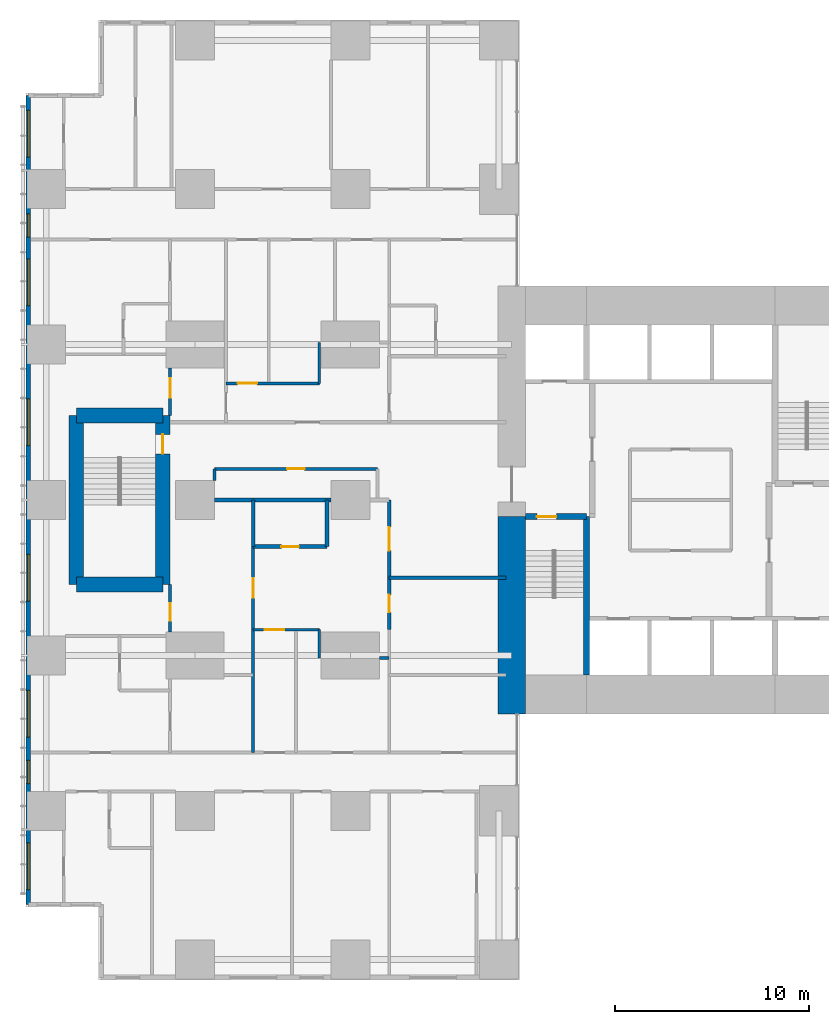
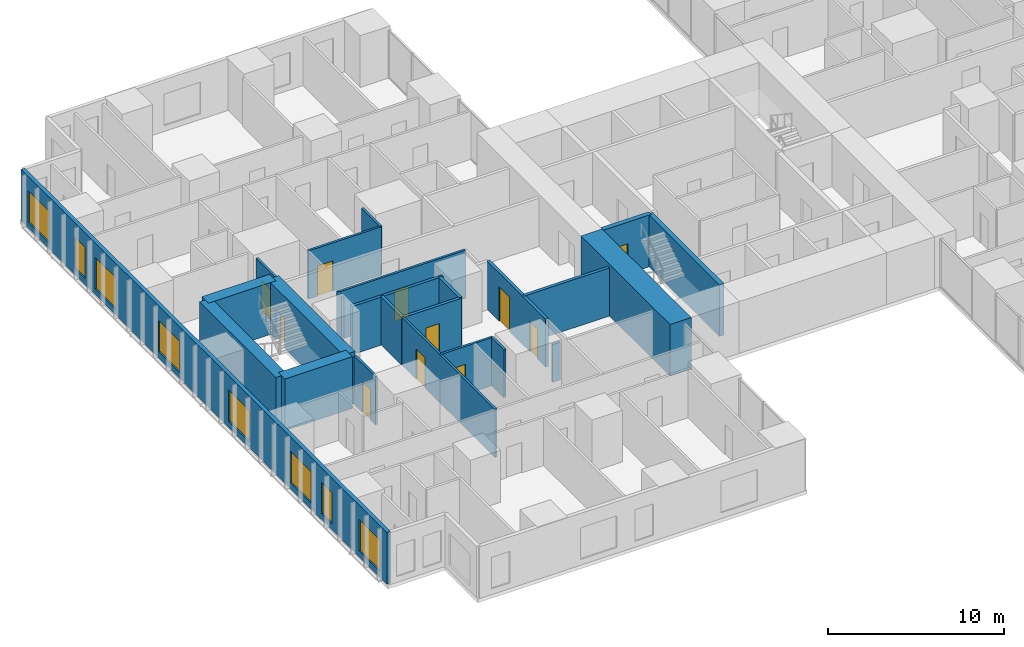
# One storey, part 13 of 20: 24 walls, 11 doors, 8 windows, 19 openings.
"""IFC4 building model written with IfcOpenShell, lengths in metres."""

from ifc_helpers import new_model, si_unit, direction, frame, frame_2d, origin, place, context, subcontext, project, spatial, rectangle, extrude, material, layer, layer_set, type_object, element, fill, save


model = new_model("IFC4")

# Units and contexts
model_context = context("Model", 3, precision=1e-05, world=origin(), true_north=direction((0.0, 1.0)))
body_context = subcontext(model_context, "Body", "Model", "MODEL_VIEW")
ifc_project = project(units=[si_unit("LENGTHUNIT", "METRE"), si_unit("AREAUNIT", "SQUARE_METRE"), si_unit("VOLUMEUNIT", "CUBIC_METRE"), si_unit("PLANEANGLEUNIT", "RADIAN"), si_unit("MASSUNIT", "GRAM", prefix="KILO")], contexts=[model_context])

# Site, building, storey
site_placement = place(None, origin())
site = spatial("IfcSite", under=ifc_project, at=site_placement, CompositionType="ELEMENT")
building_placement = place(site_placement, origin())
building = spatial("IfcBuilding", under=site, at=building_placement, Name="Cleftline Residences", CompositionType="ELEMENT")
storey_placement = place(building_placement, frame((0.0, 0.0, 146.60009765625)))
storey = spatial("IfcBuildingStorey", under=building, at=storey_placement, Name="L38", CompositionType="ELEMENT", Elevation=146.60009765625)

# Walls
ifc_material_1 = material(Name="Concrete B70", Category="concrete")
ifc_layer_1 = layer(ifc_material_1, 1.39990234375)
ifc_layer_set_1 = layer_set([ifc_layer_1], Name="CORE WALL 1400")
wall_type_1 = type_object("IfcWallType", Name="CORE WALL 1400", PredefinedType="SHEAR", material=ifc_layer_set_1)
wall_1_placement = place(storey_placement, frame((24.300048828125, 13.0, 0.0), z_axis=(0.0, 0.0, 1.0), x_axis=(0.0, 1.0, 0.0)))
element("IfcWall", 1, at=wall_1_placement, inside=storey, type_object=wall_type_1, Name="Core wall W0", PredefinedType="SHEAR", context=body_context, shape_type="SweptSolid", body=[
    extrude(rectangle(XDim=10.14990234375, YDim=1.39990234375, at=frame_2d((5.074951171875, 0.0))), origin(), (0.0, 0.0, 1.0), 3.599853515625),
])
ifc_material_2 = material(Name="Concrete B70", Category="concrete")
ifc_layer_2 = layer(ifc_material_2, 0.300048828125)
ifc_layer_set_2 = layer_set([ifc_layer_2], Name="CORE WALL 300")
wall_type_2 = type_object("IfcWallType", Name="CORE WALL 300", PredefinedType="SHEAR", material=ifc_layer_set_2)
wall_2_placement = place(storey_placement, frame((28.14990234375, 15.0, 0.0), z_axis=(0.0, 0.0, 1.0), x_axis=(0.0, 1.0, 0.0)))
element("IfcWall", 2, at=wall_2_placement, inside=storey, type_object=wall_type_2, Name="Core wall SA-E", PredefinedType="SHEAR", context=body_context, shape_type="SweptSolid", body=[
    extrude(rectangle(XDim=8.14990234375, YDim=0.300048828125, at=frame_2d((4.074951171875, 0.0))), origin(), (0.0, 0.0, 1.0), 3.599853515625),
])

# Wall, opening, door
wall_3_placement = place(storey_placement, frame((25.0, 23.14990234375, 0.0), z_axis=(0.0, 0.0, 1.0), x_axis=(1.0, 0.0, 0.0)))
wall_3 = element("IfcWall", 3, at=wall_3_placement, inside=storey, type_object=wall_type_2, Name="Core wall SA-N", PredefinedType="SHEAR", context=body_context, shape_type="SweptSolid", body=[
    extrude(rectangle(XDim=3.14990234375, YDim=0.300048828125, at=frame_2d((1.574951171875, 0.0))), origin(), (0.0, 0.0, 1.0), 3.599853515625),
])
opening_1_placement = place(wall_3_placement, frame((0.60009765625, 0.0, 0.0)))
opening_1 = element("IfcOpeningElement", 4, at=opening_1_placement, cuts=wall_3, Name="Opening D5", PredefinedType="OPENING", context=body_context, shape_type="SweptSolid", body=[
    extrude(rectangle(XDim=1.0, YDim=2.10009765625, at=frame_2d((0.5, 1.050048828125))), frame((0.0, 0.159912109375, 0.0), z_axis=(0.0, -1.0, 0.0), x_axis=(1.0, 0.0, 0.0)), (0.0, 0.0, 1.0), 0.320068359375),
])
ifc_material_3 = material(Name="Steel", Category="steel")
door_type_1 = type_object("IfcDoorType", Name="STAIR DOOR 1000X2100", OperationType="SINGLE_SWING_LEFT", PredefinedType="DOOR", material=ifc_material_3)
door_1_placement = place(opening_1_placement, origin())
door_1 = element("IfcDoor", 5, at=door_1_placement, inside=storey, type_object=door_type_1, Name="Stair A door", OperationType="SINGLE_SWING_RIGHT", OverallHeight=2.10009765625, OverallWidth=1.0, PredefinedType="DOOR", context=body_context, shape_type="SweptSolid", body=[
    extrude(rectangle(XDim=1.0, YDim=2.10009765625, at=frame_2d((0.5, 1.050048828125))), frame((0.0, 0.02490234375, 0.0), z_axis=(0.0, -1.0, 0.0), x_axis=(1.0, 0.0, 0.0)), (0.0, 0.0, 1.0), 0.050048828125),
])
fill(opening_1, door_1)

# Wall, openings, windows
ifc_material_4 = material(Name="Rendered reinforced concrete blockwork", Category="masonry")
ifc_layer_3 = layer(ifc_material_4, 0.25)
ifc_layer_set_3 = layer_set([ifc_layer_3], Name="EXTERNAL WALL 250")
wall_type_3 = type_object("IfcWallType", Name="EXTERNAL WALL 250", PredefinedType="SOLIDWALL", material=ifc_layer_set_3)
wall_4_placement = place(storey_placement, frame((-0.574951171875, 44.824951171875, 0.0), z_axis=(0.0, 0.0, 1.0), x_axis=(0.0, -1.0, 0.0)))
wall_4 = element("IfcWall", 6, at=wall_4_placement, inside=storey, type_object=wall_type_3, Name="External wall", PredefinedType="SOLIDWALL", context=body_context, shape_type="SweptSolid", body=[
    extrude(rectangle(XDim=41.64990234375, YDim=0.25, at=frame_2d((20.824951171875, 0.0))), origin(), (0.0, 0.0, 1.0), 3.599853515625),
])
opening_2_placement = place(wall_4_placement, frame((0.77490234375, 0.0, 0.39990234375)))
opening_2 = element("IfcOpeningElement", 7, at=opening_2_placement, cuts=wall_4, Name="Opening W12", PredefinedType="OPENING", context=body_context, shape_type="SweptSolid", body=[
    extrude(rectangle(XDim=2.39990234375, YDim=2.199951171875, at=frame_2d((1.199951171875, 1.10009765625))), frame((0.0, 0.135009765625, 0.0), z_axis=(0.0, -1.0, 0.0), x_axis=(1.0, 0.0, 0.0)), (0.0, 0.0, 1.0), 0.27001953125),
])
opening_3_placement = place(wall_4_placement, frame((6.10009765625, 0.0, 0.39990234375)))
opening_3 = element("IfcOpeningElement", 8, at=opening_3_placement, cuts=wall_4, Name="Opening W11", PredefinedType="OPENING", context=body_context, shape_type="SweptSolid", body=[
    extrude(rectangle(XDim=1.199951171875, YDim=2.199951171875, at=frame_2d((0.60009765625, 1.10009765625))), frame((0.0, 0.135009765625, 0.0), z_axis=(0.0, -1.0, 0.0), x_axis=(1.0, 0.0, 0.0)), (0.0, 0.0, 1.0), 0.27001953125),
])
opening_4_placement = place(wall_4_placement, frame((8.425048828125, 0.0, 0.39990234375)))
opening_4 = element("IfcOpeningElement", 9, at=opening_4_placement, cuts=wall_4, Name="Opening W12", PredefinedType="OPENING", context=body_context, shape_type="SweptSolid", body=[
    extrude(rectangle(XDim=2.39990234375, YDim=2.199951171875, at=frame_2d((1.199951171875, 1.10009765625))), frame((0.0, 0.135009765625, 0.0), z_axis=(0.0, -1.0, 0.0), x_axis=(1.0, 0.0, 0.0)), (0.0, 0.0, 1.0), 0.27001953125),
])
opening_5_placement = place(wall_4_placement, frame((15.625, 0.0, 0.39990234375)))
opening_5 = element("IfcOpeningElement", 10, at=opening_5_placement, cuts=wall_4, Name="Opening W12", PredefinedType="OPENING", context=body_context, shape_type="SweptSolid", body=[
    extrude(rectangle(XDim=2.39990234375, YDim=2.199951171875, at=frame_2d((1.199951171875, 1.10009765625))), frame((0.0, 0.135009765625, 0.0), z_axis=(0.0, -1.0, 0.0), x_axis=(1.0, 0.0, 0.0)), (0.0, 0.0, 1.0), 0.27001953125),
])
opening_6_placement = place(wall_4_placement, frame((23.625, 0.0, 0.39990234375)))
opening_6 = element("IfcOpeningElement", 11, at=opening_6_placement, cuts=wall_4, Name="Opening W12", PredefinedType="OPENING", context=body_context, shape_type="SweptSolid", body=[
    extrude(rectangle(XDim=2.39990234375, YDim=2.199951171875, at=frame_2d((1.199951171875, 1.10009765625))), frame((0.0, 0.135009765625, 0.0), z_axis=(0.0, -1.0, 0.0), x_axis=(1.0, 0.0, 0.0)), (0.0, 0.0, 1.0), 0.27001953125),
])
opening_7_placement = place(wall_4_placement, frame((30.625, 0.0, 0.39990234375)))
opening_7 = element("IfcOpeningElement", 12, at=opening_7_placement, cuts=wall_4, Name="Opening W12", PredefinedType="OPENING", context=body_context, shape_type="SweptSolid", body=[
    extrude(rectangle(XDim=2.39990234375, YDim=2.199951171875, at=frame_2d((1.199951171875, 1.10009765625))), frame((0.0, 0.135009765625, 0.0), z_axis=(0.0, -1.0, 0.0), x_axis=(1.0, 0.0, 0.0)), (0.0, 0.0, 1.0), 0.27001953125),
])
opening_8_placement = place(wall_4_placement, frame((34.22509765625, 0.0, 0.39990234375)))
opening_8 = element("IfcOpeningElement", 13, at=opening_8_placement, cuts=wall_4, Name="Opening W11", PredefinedType="OPENING", context=body_context, shape_type="SweptSolid", body=[
    extrude(rectangle(XDim=1.199951171875, YDim=2.199951171875, at=frame_2d((0.60009765625, 1.10009765625))), frame((0.0, 0.135009765625, 0.0), z_axis=(0.0, -1.0, 0.0), x_axis=(1.0, 0.0, 0.0)), (0.0, 0.0, 1.0), 0.27001953125),
])
opening_9_placement = place(wall_4_placement, frame((38.47509765625, 0.0, 0.39990234375)))
opening_9 = element("IfcOpeningElement", 14, at=opening_9_placement, cuts=wall_4, Name="Opening W12", PredefinedType="OPENING", context=body_context, shape_type="SweptSolid", body=[
    extrude(rectangle(XDim=2.39990234375, YDim=2.199951171875, at=frame_2d((1.199951171875, 1.10009765625))), frame((0.0, 0.135009765625, 0.0), z_axis=(0.0, -1.0, 0.0), x_axis=(1.0, 0.0, 0.0)), (0.0, 0.0, 1.0), 0.27001953125),
])
ifc_material_5 = material(Name="Aluminium frame, clear double glazing", Category="aluminium")
window_type_1 = type_object("IfcWindowType", Name="WINDOW 1200X2200", PartitioningType="DOUBLE_PANEL_VERTICAL", PredefinedType="WINDOW", material=ifc_material_5)
window_1_placement = place(opening_3_placement, origin())
window_1 = element("IfcWindow", 15, at=window_1_placement, inside=storey, type_object=window_type_1, Name="Window", OverallHeight=2.199951171875, OverallWidth=1.199951171875, PartitioningType="SINGLE_PANEL", PredefinedType="WINDOW", context=body_context, shape_type="SweptSolid", body=[
    extrude(rectangle(XDim=1.199951171875, YDim=2.199951171875, at=frame_2d((0.60009765625, 1.10009765625))), frame((0.0, 0.030029296875, 0.0), z_axis=(0.0, -1.0, 0.0), x_axis=(1.0, 0.0, 0.0)), (0.0, 0.0, 1.0), 0.06005859375),
])
fill(opening_3, window_1)
window_2_placement = place(opening_8_placement, origin())
window_2 = element("IfcWindow", 16, at=window_2_placement, inside=storey, type_object=window_type_1, Name="Window", OverallHeight=2.199951171875, OverallWidth=1.199951171875, PartitioningType="SINGLE_PANEL", PredefinedType="WINDOW", context=body_context, shape_type="SweptSolid", body=[
    extrude(rectangle(XDim=1.199951171875, YDim=2.199951171875, at=frame_2d((0.60009765625, 1.10009765625))), frame((0.0, 0.030029296875, 0.0), z_axis=(0.0, -1.0, 0.0), x_axis=(1.0, 0.0, 0.0)), (0.0, 0.0, 1.0), 0.06005859375),
])
fill(opening_8, window_2)
ifc_material_6 = material(Name="Aluminium frame, clear double glazing", Category="aluminium")
window_type_2 = type_object("IfcWindowType", Name="WINDOW 2400X2200", PartitioningType="DOUBLE_PANEL_VERTICAL", PredefinedType="WINDOW", material=ifc_material_6)
window_3_placement = place(opening_2_placement, origin())
window_3 = element("IfcWindow", 17, at=window_3_placement, inside=storey, type_object=window_type_2, Name="Window", OverallHeight=2.199951171875, OverallWidth=2.39990234375, PartitioningType="SINGLE_PANEL", PredefinedType="WINDOW", context=body_context, shape_type="SweptSolid", body=[
    extrude(rectangle(XDim=2.39990234375, YDim=2.199951171875, at=frame_2d((1.199951171875, 1.10009765625))), frame((0.0, 0.030029296875, 0.0), z_axis=(0.0, -1.0, 0.0), x_axis=(1.0, 0.0, 0.0)), (0.0, 0.0, 1.0), 0.06005859375),
])
fill(opening_2, window_3)
window_4_placement = place(opening_4_placement, origin())
window_4 = element("IfcWindow", 18, at=window_4_placement, inside=storey, type_object=window_type_2, Name="Window", OverallHeight=2.199951171875, OverallWidth=2.39990234375, PartitioningType="SINGLE_PANEL", PredefinedType="WINDOW", context=body_context, shape_type="SweptSolid", body=[
    extrude(rectangle(XDim=2.39990234375, YDim=2.199951171875, at=frame_2d((1.199951171875, 1.10009765625))), frame((0.0, 0.030029296875, 0.0), z_axis=(0.0, -1.0, 0.0), x_axis=(1.0, 0.0, 0.0)), (0.0, 0.0, 1.0), 0.06005859375),
])
fill(opening_4, window_4)
window_5_placement = place(opening_5_placement, origin())
window_5 = element("IfcWindow", 19, at=window_5_placement, inside=storey, type_object=window_type_2, Name="Window", OverallHeight=2.199951171875, OverallWidth=2.39990234375, PartitioningType="SINGLE_PANEL", PredefinedType="WINDOW", context=body_context, shape_type="SweptSolid", body=[
    extrude(rectangle(XDim=2.39990234375, YDim=2.199951171875, at=frame_2d((1.199951171875, 1.10009765625))), frame((0.0, 0.030029296875, 0.0), z_axis=(0.0, -1.0, 0.0), x_axis=(1.0, 0.0, 0.0)), (0.0, 0.0, 1.0), 0.06005859375),
])
fill(opening_5, window_5)
window_6_placement = place(opening_6_placement, origin())
window_6 = element("IfcWindow", 20, at=window_6_placement, inside=storey, type_object=window_type_2, Name="Window", OverallHeight=2.199951171875, OverallWidth=2.39990234375, PartitioningType="SINGLE_PANEL", PredefinedType="WINDOW", context=body_context, shape_type="SweptSolid", body=[
    extrude(rectangle(XDim=2.39990234375, YDim=2.199951171875, at=frame_2d((1.199951171875, 1.10009765625))), frame((0.0, 0.030029296875, 0.0), z_axis=(0.0, -1.0, 0.0), x_axis=(1.0, 0.0, 0.0)), (0.0, 0.0, 1.0), 0.06005859375),
])
fill(opening_6, window_6)
window_7_placement = place(opening_7_placement, origin())
window_7 = element("IfcWindow", 21, at=window_7_placement, inside=storey, type_object=window_type_2, Name="Window", OverallHeight=2.199951171875, OverallWidth=2.39990234375, PartitioningType="SINGLE_PANEL", PredefinedType="WINDOW", context=body_context, shape_type="SweptSolid", body=[
    extrude(rectangle(XDim=2.39990234375, YDim=2.199951171875, at=frame_2d((1.199951171875, 1.10009765625))), frame((0.0, 0.030029296875, 0.0), z_axis=(0.0, -1.0, 0.0), x_axis=(1.0, 0.0, 0.0)), (0.0, 0.0, 1.0), 0.06005859375),
])
fill(opening_7, window_7)
window_8_placement = place(opening_9_placement, origin())
window_8 = element("IfcWindow", 22, at=window_8_placement, inside=storey, type_object=window_type_2, Name="Window", OverallHeight=2.199951171875, OverallWidth=2.39990234375, PartitioningType="SINGLE_PANEL", PredefinedType="WINDOW", context=body_context, shape_type="SweptSolid", body=[
    extrude(rectangle(XDim=2.39990234375, YDim=2.199951171875, at=frame_2d((1.199951171875, 1.10009765625))), frame((0.0, 0.030029296875, 0.0), z_axis=(0.0, -1.0, 0.0), x_axis=(1.0, 0.0, 0.0)), (0.0, 0.0, 1.0), 0.06005859375),
])
fill(opening_9, window_8)

# Wall
ifc_material_7 = material(Name="Concrete blockwork, fire rated", Category="masonry")
ifc_layer_4 = layer(ifc_material_7, 0.199951171875)
ifc_layer_set_4 = layer_set([ifc_layer_4], Name="FIRE WALL 200")
wall_type_4 = type_object("IfcWallType", Name="FIRE WALL 200", PredefinedType="PARTITIONING", material=ifc_layer_set_4)
wall_5_placement = place(storey_placement, frame((18.0, 20.0, 0.0), z_axis=(0.0, 0.0, 1.0), x_axis=(1.0, 0.0, 0.0)))
element("IfcWall", 23, at=wall_5_placement, inside=storey, type_object=wall_type_4, Name="Fire separating wall", PredefinedType="PARTITIONING", context=body_context, shape_type="SweptSolid", body=[
    extrude(rectangle(XDim=6.0, YDim=0.199951171875, at=frame_2d((3.0, 0.0))), origin(), (0.0, 0.0, 1.0), 3.349853515625),
])

# Wall, opening, door
wall_6_placement = place(storey_placement, frame((11.0, 21.60009765625, 0.0), z_axis=(0.0, 0.0, 1.0), x_axis=(1.0, 0.0, 0.0)))
wall_6 = element("IfcWall", 24, at=wall_6_placement, inside=storey, type_object=wall_type_4, Name="Fire separating wall", PredefinedType="PARTITIONING", context=body_context, shape_type="SweptSolid", body=[
    extrude(rectangle(XDim=3.800048828125, YDim=0.199951171875, at=frame_2d((1.89990234375, 0.0))), origin(), (0.0, 0.0, 1.0), 3.349853515625),
])
opening_10_placement = place(wall_6_placement, frame((1.449951171875, 0.0, 0.0)))
opening_10 = element("IfcOpeningElement", 25, at=opening_10_placement, cuts=wall_6, Name="Opening D1F30", PredefinedType="OPENING", context=body_context, shape_type="SweptSolid", body=[
    extrude(rectangle(XDim=0.89990234375, YDim=2.10009765625, at=frame_2d((0.449951171875, 1.050048828125))), frame((0.0, 0.10986328125, 0.0), z_axis=(0.0, -1.0, 0.0), x_axis=(1.0, 0.0, 0.0)), (0.0, 0.0, 1.0), 0.219970703125),
])
ifc_material_8 = material(Name="Timber veneer on solid core", Category="wood")
door_type_2 = type_object("IfcDoorType", Name="DOOR 900X2100 EI 30", OperationType="SINGLE_SWING_LEFT", PredefinedType="DOOR", material=ifc_material_8)
door_2_placement = place(opening_10_placement, origin())
door_2 = element("IfcDoor", 26, at=door_2_placement, inside=storey, type_object=door_type_2, Name="Door to cloakroom wc", OperationType="SINGLE_SWING_LEFT", OverallHeight=2.10009765625, OverallWidth=0.89990234375, PredefinedType="DOOR", context=body_context, shape_type="SweptSolid", body=[
    extrude(rectangle(XDim=0.89990234375, YDim=2.10009765625, at=frame_2d((0.449951171875, 1.050048828125))), frame((0.0, 0.02490234375, 0.0), z_axis=(0.0, -1.0, 0.0), x_axis=(1.0, 0.0, 0.0)), (0.0, 0.0, 1.0), 0.050048828125),
])
fill(opening_10, door_2)

# Walls
wall_7_placement = place(storey_placement, frame((9.0, 24.0, 0.0), z_axis=(0.0, 0.0, 1.0), x_axis=(1.0, 0.0, 0.0)))
element("IfcWall", 27, at=wall_7_placement, inside=storey, type_object=wall_type_4, Name="Fire separating wall", PredefinedType="PARTITIONING", context=body_context, shape_type="SweptSolid", body=[
    extrude(rectangle(XDim=6.0, YDim=0.199951171875, at=frame_2d((3.0, 0.0))), origin(), (0.0, 0.0, 1.0), 3.349853515625),
])
for number, where, z_axis, x_axis, name in (
    (28, (11.0, 21.60009765625, 0.0), (0.0, 0.0, 1.0), (0.0, 1.0, 0.0), "Fire separating wall"),
    (29, (14.800048828125, 21.60009765625, 0.0), (0.0, 0.0, 1.0), (0.0, 1.0, 0.0), "Fire separating wall"),
):
    element("IfcWall", number, at=place(storey_placement, frame(where, z_axis=z_axis, x_axis=x_axis)), inside=storey, type_object=wall_type_4, Name=name, PredefinedType="PARTITIONING", context=body_context, shape_type="SweptSolid", body=[
        extrude(rectangle(XDim=2.39990234375, YDim=0.199951171875, at=frame_2d((1.199951171875, 0.0))), origin(), (0.0, 0.0, 1.0), 3.349853515625),
    ])

# Wall, openings, doors
wall_8_placement = place(storey_placement, frame((18.0, 17.324951171875, 0.0), z_axis=(0.0, 0.0, 1.0), x_axis=(0.0, 1.0, 0.0)))
wall_8 = element("IfcWall", 30, at=wall_8_placement, inside=storey, type_object=wall_type_4, Name="Fire separating wall", PredefinedType="PARTITIONING", context=body_context, shape_type="SweptSolid", body=[
    extrude(rectangle(XDim=6.675048828125, YDim=0.199951171875, at=frame_2d((3.33740234375, 0.0))), origin(), (0.0, 0.0, 1.0), 3.349853515625),
])
opening_11_placement = place(wall_8_placement, frame((4.074951171875, 0.0, 0.0)))
opening_11 = element("IfcOpeningElement", 31, at=opening_11_placement, cuts=wall_8, Name="Opening D4", PredefinedType="OPENING", context=body_context, shape_type="SweptSolid", body=[
    extrude(rectangle(XDim=1.199951171875, YDim=2.39990234375, at=frame_2d((0.60009765625, 1.199951171875))), frame((0.0, 0.10986328125, 0.0), z_axis=(0.0, -1.0, 0.0), x_axis=(1.0, 0.0, 0.0)), (0.0, 0.0, 1.0), 0.219970703125),
])
opening_12_placement = place(wall_8_placement, frame((0.887451171875, 0.0, 0.0)))
opening_12 = element("IfcOpeningElement", 32, at=opening_12_placement, cuts=wall_8, Name="Opening D1F30", PredefinedType="OPENING", context=body_context, shape_type="SweptSolid", body=[
    extrude(rectangle(XDim=0.89990234375, YDim=2.10009765625, at=frame_2d((0.449951171875, 1.050048828125))), frame((0.0, 0.10986328125, 0.0), z_axis=(0.0, -1.0, 0.0), x_axis=(1.0, 0.0, 0.0)), (0.0, 0.0, 1.0), 0.219970703125),
])
ifc_material_9 = material(Name="Timber veneer on solid core", Category="wood")
door_type_3 = type_object("IfcDoorType", Name="APARTMENT ENTRANCE DOOR 1200X2400", OperationType="SINGLE_SWING_RIGHT", PredefinedType="DOOR", material=ifc_material_9)
door_3_placement = place(opening_11_placement, origin())
door_3 = element("IfcDoor", 33, at=door_3_placement, inside=storey, type_object=door_type_3, Name="Door to residence entrance foyer", OperationType="SINGLE_SWING_LEFT", OverallHeight=2.39990234375, OverallWidth=1.199951171875, PredefinedType="DOOR", context=body_context, shape_type="SweptSolid", body=[
    extrude(rectangle(XDim=1.199951171875, YDim=2.39990234375, at=frame_2d((0.60009765625, 1.199951171875))), frame((0.0, 0.02490234375, 0.0), z_axis=(0.0, -1.0, 0.0), x_axis=(1.0, 0.0, 0.0)), (0.0, 0.0, 1.0), 0.050048828125),
])
fill(opening_11, door_3)
door_4_placement = place(opening_12_placement, origin())
door_4 = element("IfcDoor", 34, at=door_4_placement, inside=storey, type_object=door_type_2, Name="Door to utility room", OperationType="SINGLE_SWING_RIGHT", OverallHeight=2.10009765625, OverallWidth=0.89990234375, PredefinedType="DOOR", context=body_context, shape_type="SweptSolid", body=[
    extrude(rectangle(XDim=0.89990234375, YDim=2.10009765625, at=frame_2d((0.449951171875, 1.050048828125))), frame((0.0, 0.02490234375, 0.0), z_axis=(0.0, -1.0, 0.0), x_axis=(1.0, 0.0, 0.0)), (0.0, 0.0, 1.0), 0.050048828125),
])
fill(opening_12, door_4)

# Wall
ifc_material_10 = material(Name="Gypsum board on steel studs", Category="steel")
ifc_layer_5 = layer(ifc_material_10, 0.14990234375)
ifc_layer_set_5 = layer_set([ifc_layer_5], Name="PARTITION 150")
wall_type_5 = type_object("IfcWallType", Name="PARTITION 150", PredefinedType="PARTITIONING", material=ifc_layer_set_5)
wall_9_placement = place(storey_placement, frame((17.5, 15.875, 0.0), z_axis=(0.0, 0.0, 1.0), x_axis=(1.0, 0.0, 0.0)))
element("IfcWall", 35, at=wall_9_placement, inside=storey, type_object=wall_type_5, Name="Partition", PredefinedType="PARTITIONING", context=body_context, shape_type="SweptSolid", body=[
    extrude(rectangle(XDim=0.5, YDim=0.14990234375, at=frame_2d((0.25, 0.0))), origin(), (0.0, 0.0, 1.0), 2.6337890625),
])

# Wall, opening, door
wall_10_placement = place(storey_placement, frame((11.0, 17.324951171875, 0.0), z_axis=(0.0, 0.0, 1.0), x_axis=(1.0, 0.0, 0.0)))
wall_10 = element("IfcWall", 36, at=wall_10_placement, inside=storey, type_object=wall_type_5, Name="Partition", PredefinedType="PARTITIONING", context=body_context, shape_type="SweptSolid", body=[
    extrude(rectangle(XDim=3.39990234375, YDim=0.14990234375, at=frame_2d((1.699951171875, 0.0))), origin(), (0.0, 0.0, 1.0), 3.349853515625),
])
opening_13_placement = place(wall_10_placement, frame((0.60009765625, 0.0, 0.0)))
opening_13 = element("IfcOpeningElement", 37, at=opening_13_placement, cuts=wall_10, Name="Opening D2", PredefinedType="OPENING", context=body_context, shape_type="SweptSolid", body=[
    extrude(rectangle(XDim=1.0, YDim=2.10009765625, at=frame_2d((0.5, 1.050048828125))), frame((0.0, 0.0849609375, 0.0), z_axis=(0.0, -1.0, 0.0), x_axis=(1.0, 0.0, 0.0)), (0.0, 0.0, 1.0), 0.169921875),
])
ifc_material_11 = material(Name="Timber veneer on solid core", Category="wood")
door_type_4 = type_object("IfcDoorType", Name="DOOR 1000X2100", OperationType="SINGLE_SWING_LEFT", PredefinedType="DOOR", material=ifc_material_11)
door_5_placement = place(opening_13_placement, origin())
door_5 = element("IfcDoor", 38, at=door_5_placement, inside=storey, type_object=door_type_4, Name="Door to residence passage", OperationType="SINGLE_SWING_RIGHT", OverallHeight=2.10009765625, OverallWidth=1.0, PredefinedType="DOOR", context=body_context, shape_type="SweptSolid", body=[
    extrude(rectangle(XDim=1.0, YDim=2.10009765625, at=frame_2d((0.5, 1.050048828125))), frame((0.0, 0.02490234375, 0.0), z_axis=(0.0, -1.0, 0.0), x_axis=(1.0, 0.0, 0.0)), (0.0, 0.0, 1.0), 0.050048828125),
])
fill(opening_13, door_5)

wall_11_placement = place(storey_placement, frame((9.0, 25.60009765625, 0.0), z_axis=(0.0, 0.0, 1.0), x_axis=(1.0, 0.0, 0.0)))
wall_11 = element("IfcWall", 39, at=wall_11_placement, inside=storey, type_object=wall_type_5, Name="Partition", PredefinedType="PARTITIONING", context=body_context, shape_type="SweptSolid", body=[
    extrude(rectangle(XDim=8.39990234375, YDim=0.14990234375, at=frame_2d((4.199951171875, 0.0))), origin(), (0.0, 0.0, 1.0), 3.349853515625),
])
opening_14_placement = place(wall_11_placement, frame((3.75, 0.0, 0.0)))
opening_14 = element("IfcOpeningElement", 40, at=opening_14_placement, cuts=wall_11, Name="Opening D1", PredefinedType="OPENING", context=body_context, shape_type="SweptSolid", body=[
    extrude(rectangle(XDim=0.89990234375, YDim=2.10009765625, at=frame_2d((0.449951171875, 1.050048828125))), frame((0.0, 0.0849609375, 0.0), z_axis=(0.0, -1.0, 0.0), x_axis=(1.0, 0.0, 0.0)), (0.0, 0.0, 1.0), 0.169921875),
])
ifc_material_12 = material(Name="Timber veneer on solid core", Category="wood")
door_type_5 = type_object("IfcDoorType", Name="DOOR 900X2100", OperationType="SINGLE_SWING_LEFT", PredefinedType="DOOR", material=ifc_material_12)
door_6_placement = place(opening_14_placement, origin())
door_6 = element("IfcDoor", 41, at=door_6_placement, inside=storey, type_object=door_type_5, Name="Door to residents' locker room", OperationType="SINGLE_SWING_LEFT", OverallHeight=2.10009765625, OverallWidth=0.89990234375, PredefinedType="DOOR", context=body_context, shape_type="SweptSolid", body=[
    extrude(rectangle(XDim=0.89990234375, YDim=2.10009765625, at=frame_2d((0.449951171875, 1.050048828125))), frame((0.0, 0.02490234375, 0.0), z_axis=(0.0, -1.0, 0.0), x_axis=(1.0, 0.0, 0.0)), (0.0, 0.0, 1.0), 0.050048828125),
])
fill(opening_14, door_6)

wall_12_placement = place(storey_placement, frame((9.60009765625, 30.0, 0.0), z_axis=(0.0, 0.0, 1.0), x_axis=(1.0, 0.0, 0.0)))
wall_12 = element("IfcWall", 42, at=wall_12_placement, inside=storey, type_object=wall_type_5, Name="Partition", PredefinedType="PARTITIONING", context=body_context, shape_type="SweptSolid", body=[
    extrude(rectangle(XDim=4.7998046875, YDim=0.14990234375, at=frame_2d((2.39990234375, 0.0))), origin(), (0.0, 0.0, 1.0), 3.349853515625),
])
opening_15_placement = place(wall_12_placement, frame((0.60009765625, 0.0, 0.0)))
opening_15 = element("IfcOpeningElement", 43, at=opening_15_placement, cuts=wall_12, Name="Opening D2", PredefinedType="OPENING", context=body_context, shape_type="SweptSolid", body=[
    extrude(rectangle(XDim=1.0, YDim=2.10009765625, at=frame_2d((0.5, 1.050048828125))), frame((0.0, 0.0849609375, 0.0), z_axis=(0.0, -1.0, 0.0), x_axis=(1.0, 0.0, 0.0)), (0.0, 0.0, 1.0), 0.169921875),
])
door_7_placement = place(opening_15_placement, origin())
door_7 = element("IfcDoor", 44, at=door_7_placement, inside=storey, type_object=door_type_4, Name="Door to residence passage", OperationType="SINGLE_SWING_RIGHT", OverallHeight=2.10009765625, OverallWidth=1.0, PredefinedType="DOOR", context=body_context, shape_type="SweptSolid", body=[
    extrude(rectangle(XDim=1.0, YDim=2.10009765625, at=frame_2d((0.5, 1.050048828125))), frame((0.0, 0.02490234375, 0.0), z_axis=(0.0, -1.0, 0.0), x_axis=(1.0, 0.0, 0.0)), (0.0, 0.0, 1.0), 0.050048828125),
])
fill(opening_15, door_7)

wall_13_placement = place(storey_placement, frame((6.72509765625, 17.199951171875, 0.0), z_axis=(0.0, 0.0, 1.0), x_axis=(0.0, 1.0, 0.0)))
wall_13 = element("IfcWall", 45, at=wall_13_placement, inside=storey, type_object=wall_type_5, Name="Partition", PredefinedType="PARTITIONING", context=body_context, shape_type="SweptSolid", body=[
    extrude(rectangle(XDim=2.449951171875, YDim=0.14990234375, at=frame_2d((1.22509765625, 0.0))), origin(), (0.0, 0.0, 1.0), 3.349853515625),
])
opening_16_placement = place(wall_13_placement, frame((0.58740234375, 0.0, 0.0)))
opening_16 = element("IfcOpeningElement", 46, at=opening_16_placement, cuts=wall_13, Name="Opening D1", PredefinedType="OPENING", context=body_context, shape_type="SweptSolid", body=[
    extrude(rectangle(XDim=0.89990234375, YDim=2.10009765625, at=frame_2d((0.449951171875, 1.050048828125))), frame((0.0, 0.0849609375, 0.0), z_axis=(0.0, -1.0, 0.0), x_axis=(1.0, 0.0, 0.0)), (0.0, 0.0, 1.0), 0.169921875),
])
door_8_placement = place(opening_16_placement, origin())
door_8 = element("IfcDoor", 47, at=door_8_placement, inside=storey, type_object=door_type_5, Name="Door to service loggia", OperationType="SINGLE_SWING_RIGHT", OverallHeight=2.10009765625, OverallWidth=0.89990234375, PredefinedType="DOOR", context=body_context, shape_type="SweptSolid", body=[
    extrude(rectangle(XDim=0.89990234375, YDim=2.10009765625, at=frame_2d((0.449951171875, 1.050048828125))), frame((0.0, 0.02490234375, 0.0), z_axis=(0.0, -1.0, 0.0), x_axis=(1.0, 0.0, 0.0)), (0.0, 0.0, 1.0), 0.050048828125),
])
fill(opening_16, door_8)

wall_14_placement = place(storey_placement, frame((6.72509765625, 28.35009765625, 0.0), z_axis=(0.0, 0.0, 1.0), x_axis=(0.0, 1.0, 0.0)))
wall_14 = element("IfcWall", 48, at=wall_14_placement, inside=storey, type_object=wall_type_5, Name="Partition", PredefinedType="PARTITIONING", context=body_context, shape_type="SweptSolid", body=[
    extrude(rectangle(XDim=2.449951171875, YDim=0.14990234375, at=frame_2d((1.22509765625, 0.0))), origin(), (0.0, 0.0, 1.0), 3.349853515625),
])
opening_17_placement = place(wall_14_placement, frame((0.91259765625, 0.0, 0.0)))
opening_17 = element("IfcOpeningElement", 49, at=opening_17_placement, cuts=wall_14, Name="Opening D2", PredefinedType="OPENING", context=body_context, shape_type="SweptSolid", body=[
    extrude(rectangle(XDim=1.0, YDim=2.10009765625, at=frame_2d((0.5, 1.050048828125))), frame((0.0, 0.0849609375, 0.0), z_axis=(0.0, -1.0, 0.0), x_axis=(1.0, 0.0, 0.0)), (0.0, 0.0, 1.0), 0.169921875),
])
door_9_placement = place(opening_17_placement, origin())
door_9 = element("IfcDoor", 50, at=door_9_placement, inside=storey, type_object=door_type_4, Name="Door to altar room", OperationType="SINGLE_SWING_LEFT", OverallHeight=2.10009765625, OverallWidth=1.0, PredefinedType="DOOR", context=body_context, shape_type="SweptSolid", body=[
    extrude(rectangle(XDim=1.0, YDim=2.10009765625, at=frame_2d((0.5, 1.050048828125))), frame((0.0, 0.02490234375, 0.0), z_axis=(0.0, -1.0, 0.0), x_axis=(1.0, 0.0, 0.0)), (0.0, 0.0, 1.0), 0.050048828125),
])
fill(opening_17, door_9)

# Wall
wall_15_placement = place(storey_placement, frame((9.0, 25.0, 0.0), z_axis=(0.0, 0.0, 1.0), x_axis=(0.0, 1.0, 0.0)))
element("IfcWall", 51, at=wall_15_placement, inside=storey, type_object=wall_type_5, Name="Partition", PredefinedType="PARTITIONING", context=body_context, shape_type="SweptSolid", body=[
    extrude(rectangle(XDim=0.60009765625, YDim=0.14990234375, at=frame_2d((0.300048828125, 0.0))), origin(), (0.0, 0.0, 1.0), 3.349853515625),
])

# Wall, opening, door
wall_16_placement = place(storey_placement, frame((11.0, 11.0, 0.0), z_axis=(0.0, 0.0, 1.0), x_axis=(0.0, 1.0, 0.0)))
wall_16 = element("IfcWall", 52, at=wall_16_placement, inside=storey, type_object=wall_type_5, Name="Partition", PredefinedType="PARTITIONING", context=body_context, shape_type="SweptSolid", body=[
    extrude(rectangle(XDim=10.60009765625, YDim=0.14990234375, at=frame_2d((5.300048828125, 0.0))), origin(), (0.0, 0.0, 1.0), 3.349853515625),
])
opening_18_placement = place(wall_16_placement, frame((7.96240234375, 0.0, 0.0)))
opening_18 = element("IfcOpeningElement", 53, at=opening_18_placement, cuts=wall_16, Name="Opening D2F30", PredefinedType="OPENING", context=body_context, shape_type="SweptSolid", body=[
    extrude(rectangle(XDim=1.0, YDim=2.10009765625, at=frame_2d((0.5, 1.050048828125))), frame((0.0, 0.0849609375, 0.0), z_axis=(0.0, -1.0, 0.0), x_axis=(1.0, 0.0, 0.0)), (0.0, 0.0, 1.0), 0.169921875),
])
ifc_material_13 = material(Name="Timber veneer on solid core", Category="wood")
door_type_6 = type_object("IfcDoorType", Name="DOOR 1000X2100 EI 30", OperationType="SINGLE_SWING_LEFT", PredefinedType="DOOR", material=ifc_material_13)
door_10_placement = place(opening_18_placement, origin())
door_10 = element("IfcDoor", 54, at=door_10_placement, inside=storey, type_object=door_type_6, Name="Door to residence lobby", OperationType="SINGLE_SWING_LEFT", OverallHeight=2.10009765625, OverallWidth=1.0, PredefinedType="DOOR", context=body_context, shape_type="SweptSolid", body=[
    extrude(rectangle(XDim=1.0, YDim=2.10009765625, at=frame_2d((0.5, 1.050048828125))), frame((0.0, 0.02490234375, 0.0), z_axis=(0.0, -1.0, 0.0), x_axis=(1.0, 0.0, 0.0)), (0.0, 0.0, 1.0), 0.050048828125),
])
fill(opening_18, door_10)

# Walls
wall_17_placement = place(storey_placement, frame((14.39990234375, 15.875, 0.0), z_axis=(0.0, 0.0, 1.0), x_axis=(0.0, 1.0, 0.0)))
element("IfcWall", 55, at=wall_17_placement, inside=storey, type_object=wall_type_5, Name="Partition", PredefinedType="PARTITIONING", context=body_context, shape_type="SweptSolid", body=[
    extrude(rectangle(XDim=1.449951171875, YDim=0.14990234375, at=frame_2d((0.72509765625, 0.0))), origin(), (0.0, 0.0, 1.0), 3.349853515625),
])
wall_18_placement = place(storey_placement, frame((14.39990234375, 30.0, 0.0), z_axis=(0.0, 0.0, 1.0), x_axis=(0.0, 1.0, 0.0)))
element("IfcWall", 56, at=wall_18_placement, inside=storey, type_object=wall_type_5, Name="Partition", PredefinedType="PARTITIONING", context=body_context, shape_type="SweptSolid", body=[
    extrude(rectangle(XDim=2.10009765625, YDim=0.14990234375, at=frame_2d((1.050048828125, 0.0))), origin(), (0.0, 0.0, 1.0), 3.349853515625),
])
ifc_material_14 = material(Name="Concrete B70", Category="concrete")
ifc_layer_6 = layer(ifc_material_14, 0.75)
ifc_layer_set_6 = layer_set([ifc_layer_6], Name="SHEAR WALL 750")
wall_type_6 = type_object("IfcWallType", Name="SHEAR WALL 750", PredefinedType="SHEAR", material=ifc_layer_set_6)
wall_19_placement = place(storey_placement, frame((1.89990234375, 19.64990234375, 0.0), z_axis=(0.0, 0.0, 1.0), x_axis=(1.0, 0.0, 0.0)))
element("IfcWall", 57, at=wall_19_placement, inside=storey, type_object=wall_type_6, Name="Wing shear wall", PredefinedType="SHEAR", context=body_context, shape_type="SweptSolid", body=[
    extrude(rectangle(XDim=4.4501953125, YDim=0.75, at=frame_2d((2.22509765625, 0.0))), origin(), (0.0, 0.0, 1.0), 3.599853515625),
])

# Wall, opening, door
wall_20_placement = place(storey_placement, frame((6.35009765625, 19.64990234375, 0.0), z_axis=(0.0, 0.0, 1.0), x_axis=(0.0, 1.0, 0.0)))
wall_20 = element("IfcWall", 58, at=wall_20_placement, inside=storey, type_object=wall_type_6, Name="Wing shear wall", PredefinedType="SHEAR", context=body_context, shape_type="SweptSolid", body=[
    extrude(rectangle(XDim=8.7001953125, YDim=0.75, at=frame_2d((4.35009765625, 0.0))), origin(), (0.0, 0.0, 1.0), 3.599853515625),
])
opening_19_placement = place(wall_20_placement, frame((6.72509765625, 0.0, 0.0)))
opening_19 = element("IfcOpeningElement", 59, at=opening_19_placement, cuts=wall_20, Name="Opening D5", PredefinedType="OPENING", context=body_context, shape_type="SweptSolid", body=[
    extrude(rectangle(XDim=1.0, YDim=2.10009765625, at=frame_2d((0.5, 1.050048828125))), frame((0.0, 0.385009765625, 0.0), z_axis=(0.0, -1.0, 0.0), x_axis=(1.0, 0.0, 0.0)), (0.0, 0.0, 1.0), 0.77001953125),
])
door_11_placement = place(opening_19_placement, origin())
door_11 = element("IfcDoor", 60, at=door_11_placement, inside=storey, type_object=door_type_1, Name="Stair W door", OperationType="SINGLE_SWING_LEFT", OverallHeight=2.10009765625, OverallWidth=1.0, PredefinedType="DOOR", context=body_context, shape_type="SweptSolid", body=[
    extrude(rectangle(XDim=1.0, YDim=2.10009765625, at=frame_2d((0.5, 1.050048828125))), frame((0.0, 0.02490234375, 0.0), z_axis=(0.0, -1.0, 0.0), x_axis=(1.0, 0.0, 0.0)), (0.0, 0.0, 1.0), 0.050048828125),
])
fill(opening_19, door_11)

# Walls
wall_21_placement = place(storey_placement, frame((6.35009765625, 28.35009765625, 0.0), z_axis=(0.0, 0.0, 1.0), x_axis=(-1.0, 0.0, 0.0)))
element("IfcWall", 61, at=wall_21_placement, inside=storey, type_object=wall_type_6, Name="Wing shear wall", PredefinedType="SHEAR", context=body_context, shape_type="SweptSolid", body=[
    extrude(rectangle(XDim=4.4501953125, YDim=0.75, at=frame_2d((2.22509765625, 0.0))), origin(), (0.0, 0.0, 1.0), 3.599853515625),
])
wall_22_placement = place(storey_placement, frame((1.89990234375, 28.35009765625, 0.0), z_axis=(0.0, 0.0, 1.0), x_axis=(0.0, -1.0, 0.0)))
element("IfcWall", 62, at=wall_22_placement, inside=storey, type_object=wall_type_6, Name="Wing shear wall", PredefinedType="SHEAR", context=body_context, shape_type="SweptSolid", body=[
    extrude(rectangle(XDim=8.7001953125, YDim=0.75, at=frame_2d((4.35009765625, 0.0))), origin(), (0.0, 0.0, 1.0), 3.599853515625),
])

save(model, "model.ifc")
